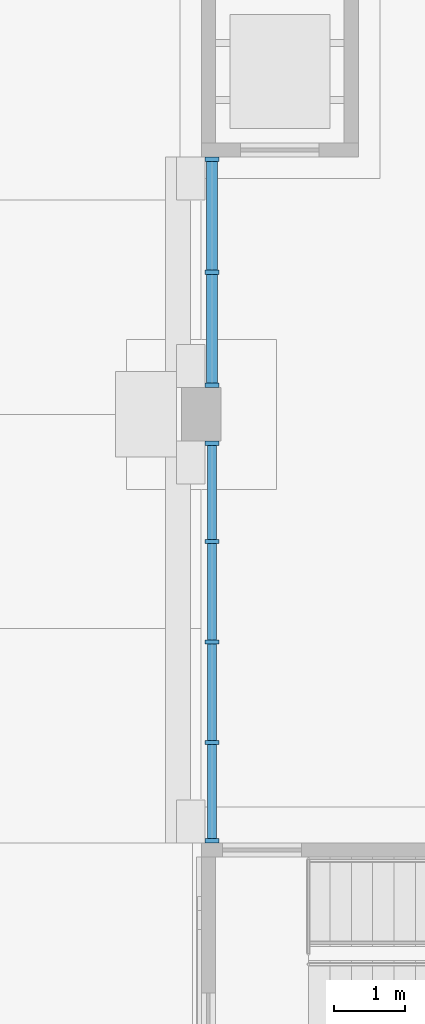
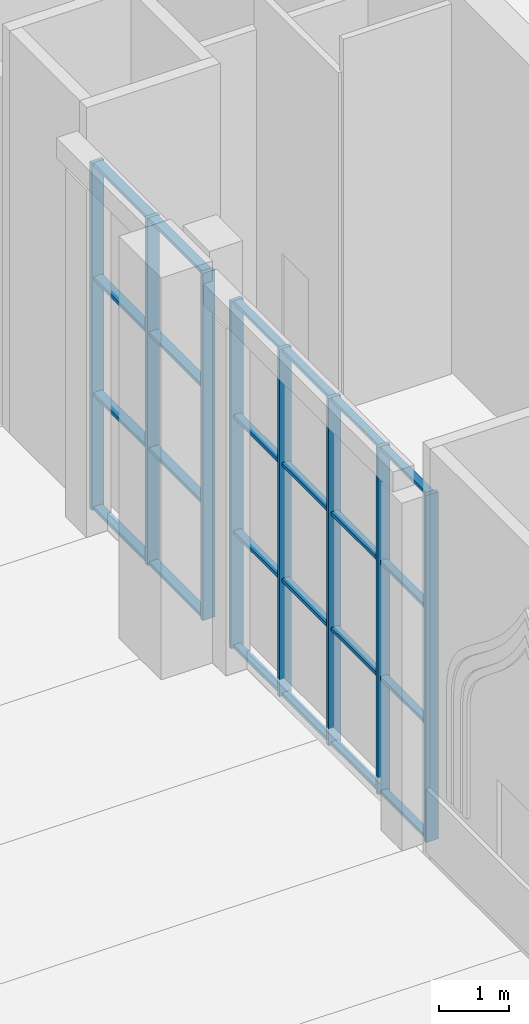
# One storey, part 24 of 95: 32 members, 2 elements without a shape of their own.
"""IFC4 building model written with IfcOpenShell, lengths in metres."""

import ifcopenshell
import ifcopenshell.guid

model = None  # the IFC model being written
_history = None  # IfcOwnerHistory: only IFC2X3 demands one
_inside = {}  # id of a spatial element -> (the spatial element, [elements in it])
_under = {}  # id of a project, library or spatial element -> (it, [spatial elements below it])
_declared = {}  # id of a project -> (the project, [libraries it declares])
_typed = {}  # id of a type object -> (the type object, [elements of that type])
_made_of = {}  # id of a material, layer set ... -> (it, [elements and type objects made of it])


def new_model(schema):
    """Start an empty IFC model of exactly this schema.

    Asked for "IFC4X3", IfcOpenShell would pick the latest addendum, in which some entities
    have other attributes; the version numbers below select the first issue.
    IFC2X3 requires an IfcOwnerHistory on every rooted entity: one is made here for all.
    """
    global model, _history
    if schema == "IFC4X3":
        model = ifcopenshell.file(schema_version=(4, 3, 0, 0))
    else:
        model = ifcopenshell.file(schema=schema)
    _inside.clear()
    _under.clear()
    _declared.clear()
    _typed.clear()
    _made_of.clear()
    _history = None
    if model.schema == "IFC2X3":
        org = make("IfcOrganization", Name="unknown")
        user = make(
            "IfcPersonAndOrganization",
            ThePerson=make("IfcPerson", FamilyName="unknown"),
            TheOrganization=org,
        )
        app = make(
            "IfcApplication",
            ApplicationDeveloper=org,
            Version="unknown",
            ApplicationFullName="unknown",
            ApplicationIdentifier="unknown",
        )
        _history = make(
            "IfcOwnerHistory",
            OwningUser=user,
            OwningApplication=app,
            ChangeAction="ADDED",
            CreationDate=0,
        )
    return model


def make(cls, **values):
    """One entity of the class cls with the attributes given. An attribute that is None is left unset."""
    return model.create_entity(
        cls, **{name: value for name, value in values.items() if value is not None}
    )


def rooted(cls, **values):
    """An entity with a GlobalId (a new one), such as an element, a storey or a relation."""
    return make(cls, GlobalId=ifcopenshell.guid.new(), OwnerHistory=_history, **values)


def si_unit(unit_type, name, prefix=None):
    """IfcSIUnit, for example si_unit("LENGTHUNIT", "METRE", prefix="MILLI")."""
    return make("IfcSIUnit", UnitType=unit_type, Prefix=prefix, Name=name)


def assignment(units):
    """IfcUnitAssignment: the units of a project."""
    return None if units is None else make("IfcUnitAssignment", Units=units)


def point(xyz):
    """IfcCartesianPoint."""
    return None if xyz is None else make("IfcCartesianPoint", Coordinates=xyz)


def direction(xyz):
    """IfcDirection."""
    return None if xyz is None else make("IfcDirection", DirectionRatios=xyz)


def frame(location, z_axis=None, x_axis=None):
    """IfcAxis2Placement3D, a coordinate frame: its origin and axes. An axis left out is left unset."""
    return make(
        "IfcAxis2Placement3D",
        Location=point(location),
        Axis=direction(z_axis),
        RefDirection=direction(x_axis),
    )


def frame_2d(location, x_axis=None):
    """IfcAxis2Placement2D, a coordinate frame in the plane: its origin and x axis."""
    return make(
        "IfcAxis2Placement2D", Location=point(location), RefDirection=direction(x_axis)
    )


def origin():
    """The frame at (0, 0, 0) with its axes left unset."""
    return frame((0.0, 0.0, 0.0))


def origin_2d():
    """The frame at (0, 0) in the plane with its x axis left unset."""
    return frame_2d((0.0, 0.0))


def place(relative_to, where):
    """IfcLocalPlacement: puts the frame where relative to a parent placement (None: the world)."""
    return make(
        "IfcLocalPlacement", PlacementRelTo=relative_to, RelativePlacement=where
    )


def context(
    kind, dimensions, precision=None, world=None, true_north=None, identifier=None
):
    """IfcGeometricRepresentationContext, for example the 3D "Model" context."""
    return make(
        "IfcGeometricRepresentationContext",
        ContextIdentifier=identifier,
        ContextType=kind,
        CoordinateSpaceDimension=dimensions,
        Precision=precision,
        WorldCoordinateSystem=world,
        TrueNorth=true_north,
    )


def subcontext(parent, identifier, kind, view, scale=None):
    """IfcGeometricRepresentationSubContext, for example "Body" below "Model"."""
    return make(
        "IfcGeometricRepresentationSubContext",
        ContextIdentifier=identifier,
        ContextType=kind,
        ParentContext=parent,
        TargetScale=scale,
        TargetView=view,
    )


def project(units=None, contexts=None):
    """IfcProject with its units and contexts."""
    return rooted(
        "IfcProject",
        Name="project",
        RepresentationContexts=contexts,
        UnitsInContext=assignment(units),
    )


def spatial(cls, under=None, at=None, **own):
    """A site, building, storey or space (cls), placed at a placement, below another one or the project."""
    s = rooted(cls, ObjectPlacement=at, **own)
    if under is not None:
        _under.setdefault(under.id(), (under, []))[1].append(s)
    return s


def profile(cls, at=None, kind="AREA", **sizes):
    """A parametric profile (cls). Its sizes go by their IFC names, for example OverallWidth=200.0."""
    return make(cls, ProfileType=kind, Position=at, **sizes)


def rectangle(**sizes):
    """IfcRectangleProfileDef."""
    return profile("IfcRectangleProfileDef", **sizes)


def extrude(swept, where, along, depth):
    """IfcExtrudedAreaSolid: the profile swept, set in the frame where, extruded along a direction by depth."""
    return make(
        "IfcExtrudedAreaSolid",
        SweptArea=swept,
        Position=where,
        ExtrudedDirection=direction(along),
        Depth=depth,
    )


def shape(context_of_items, identifier, shape_type, items):
    """IfcShapeRepresentation: the items that make up one representation, for example the "Body"."""
    return make(
        "IfcShapeRepresentation",
        ContextOfItems=context_of_items,
        RepresentationIdentifier=identifier,
        RepresentationType=shape_type,
        Items=items,
    )


def material(Name=None, Category=None):
    """IfcMaterial."""
    return make("IfcMaterial", Name=Name, Category=Category)


def material_profile(
    of_material, cross_section, Name=None, Category=None, Priority=None
):
    """IfcMaterialProfile: a cross section and its material."""
    return make(
        "IfcMaterialProfile",
        Name=Name,
        Material=of_material,
        Profile=cross_section,
        Priority=Priority,
        Category=Category,
    )


def profile_set(profiles, Name=None, composite=None):
    """IfcMaterialProfileSet."""
    return make(
        "IfcMaterialProfileSet",
        Name=Name,
        MaterialProfiles=profiles,
        CompositeProfile=composite,
    )


def made_of(thing, what):
    """Note that an element or type object is made of a material, layer set ...; save() writes the relation."""
    if what is not None:
        _made_of.setdefault(what.id(), (what, []))[1].append(thing)
    return thing


def type_object(cls, material=None, **own):
    """A type object (cls), such as IfcWallType, which elements share."""
    return made_of(rooted(cls, **own), material)


def element(
    cls,
    number,
    at=None,
    inside=None,
    cuts=None,
    type_object=None,
    material=None,
    context=None,
    identifier="Body",
    shape_type=None,
    held_by="IfcProductDefinitionShape",
    body=None,
    shapes=None,
    **own,
):
    """One element of the class cls, such as IfcWall. Its Tag is "e" and its number.

    at: its placement. inside: the storey or other place that contains it. cuts: it is an
    opening in that element (IfcRelVoidsElement). A single representation is given by context,
    identifier, shape_type and body (its items); several are given by shapes. held_by: the class
    of the entity that holds the representations. save() writes the other relations.
    """
    e = rooted(cls, Tag="e%d" % number, ObjectPlacement=at, **own)
    if body is not None:
        shapes = [shape(context, identifier, shape_type, body)]
    if shapes is not None:
        e.Representation = make(held_by, Representations=shapes)
    if inside is not None:
        _inside.setdefault(inside.id(), (inside, []))[1].append(e)
    if cuts is not None:
        rooted(
            "IfcRelVoidsElement", RelatingBuildingElement=cuts, RelatedOpeningElement=e
        )
    if type_object is not None:
        _typed.setdefault(type_object.id(), (type_object, []))[1].append(e)
    return made_of(e, material)


def aggregate(whole, parts):
    """IfcRelAggregates: a whole, such as a stair, and the parts it consists of."""
    return rooted("IfcRelAggregates", RelatingObject=whole, RelatedObjects=parts)


def save(model, path):
    """Write the relations noted so far, then the file.

    IfcRelAggregates (storeys below a building ...), IfcRelContainedInSpatialStructure (elements
    in a storey), IfcRelDefinesByType, IfcRelAssociatesMaterial and IfcRelDeclares: one each for
    every whole, place, type object, material and project.
    """
    for whole, parts in _under.values():
        aggregate(whole, parts)
    for where, things in _inside.values():
        rooted(
            "IfcRelContainedInSpatialStructure",
            RelatedElements=things,
            RelatingStructure=where,
        )
    for kind, things in _typed.values():
        rooted("IfcRelDefinesByType", RelatedObjects=things, RelatingType=kind)
    for what, things in _made_of.values():
        rooted("IfcRelAssociatesMaterial", RelatedObjects=things, RelatingMaterial=what)
    for by, libraries in _declared.values():
        rooted("IfcRelDeclares", RelatingContext=by, RelatedDefinitions=libraries)
    model.write(path)


model = new_model("IFC4")

# Units and contexts
model_context = context("Model", 3, precision=1e-05, world=origin(), true_north=direction((0.0, 1.0)))
body_context = subcontext(model_context, "Body", "Model", "MODEL_VIEW")
ifc_project = project(units=[si_unit("LENGTHUNIT", "METRE"), si_unit("AREAUNIT", "SQUARE_METRE"), si_unit("VOLUMEUNIT", "CUBIC_METRE"), si_unit("PLANEANGLEUNIT", "RADIAN"), si_unit("MASSUNIT", "GRAM", prefix="KILO")], contexts=[model_context])

# Site, building, storey
site_placement = place(None, origin())
site = spatial("IfcSite", under=ifc_project, at=site_placement, CompositionType="ELEMENT")
building_placement = place(site_placement, origin())
building = spatial("IfcBuilding", under=site, at=building_placement, Name="Saffron Lane Theatres", CompositionType="ELEMENT")
storey_placement = place(building_placement, origin())
storey = spatial("IfcBuildingStorey", under=building, at=storey_placement, Name="L00", CompositionType="ELEMENT", Elevation=0.0)

# Curtain wall, members
ifc_material_1 = material(Name="Aluminium", Category="aluminium")
curtain_wall_type_1 = type_object("IfcCurtainWallType", Name="EX-CURTAIN WALL 5620x6050x200", PredefinedType="NOTDEFINED", material=ifc_material_1)
curtain_wall_1_placement = place(storey_placement, origin())
curtain_wall_1 = element("IfcCurtainWall", 1, at=curtain_wall_1_placement, inside=storey, type_object=curtain_wall_type_1, Name="Curtain wall L00 03", PredefinedType="NOTDEFINED")
ifc_material_2 = material(Name="Aluminium", Category="aluminium")
ifc_material_profile_1 = material_profile(ifc_material_2, rectangle(XDim=0.06005859375, YDim=0.199951171875, at=origin_2d()))
ifc_profile_set_1 = profile_set([ifc_material_profile_1], Name="Aluminium")
member_type_1 = type_object("IfcMemberType", Name="EX-CW MULLION 60x200", PredefinedType="MULLION", material=ifc_profile_set_1)
member_1_placement = place(storey_placement, frame((12.14990234375, 72.030029296875, 0.0), z_axis=(0.0, 0.0, 1.0), x_axis=(0.0, 1.0, 0.0)))
member_1 = element("IfcMember", 2, at=member_1_placement, type_object=member_type_1, Name="CW-00-03 mullion 1", PredefinedType="MULLION", context=body_context, shape_type="SweptSolid", body=[
    extrude(rectangle(XDim=0.06005859375, YDim=0.199951171875, at=origin_2d()), origin(), (0.0, 0.0, 1.0), 6.050048828125),
])
member_2_placement = place(storey_placement, frame((12.14990234375, 73.40625, 0.0), z_axis=(0.0, 0.0, 1.0), x_axis=(0.0, 1.0, 0.0)))
member_2 = element("IfcMember", 3, at=member_2_placement, type_object=member_type_1, Name="CW-00-03 mullion 2", PredefinedType="MULLION", context=body_context, shape_type="SweptSolid", body=[
    extrude(rectangle(XDim=0.06005859375, YDim=0.199951171875, at=origin_2d()), origin(), (0.0, 0.0, 1.0), 6.050048828125),
])
member_3_placement = place(storey_placement, frame((12.14990234375, 74.8125, 0.0), z_axis=(0.0, 0.0, 1.0), x_axis=(0.0, 1.0, 0.0)))
member_3 = element("IfcMember", 4, at=member_3_placement, type_object=member_type_1, Name="CW-00-03 mullion 3", PredefinedType="MULLION", context=body_context, shape_type="SweptSolid", body=[
    extrude(rectangle(XDim=0.06005859375, YDim=0.199951171875, at=origin_2d()), origin(), (0.0, 0.0, 1.0), 6.050048828125),
])
member_4_placement = place(storey_placement, frame((12.14990234375, 76.21875, 0.0), z_axis=(0.0, 0.0, 1.0), x_axis=(0.0, 1.0, 0.0)))
member_4 = element("IfcMember", 5, at=member_4_placement, type_object=member_type_1, Name="CW-00-03 mullion 4", PredefinedType="MULLION", context=body_context, shape_type="SweptSolid", body=[
    extrude(rectangle(XDim=0.06005859375, YDim=0.199951171875, at=origin_2d()), origin(), (0.0, 0.0, 1.0), 6.050048828125),
])
member_5_placement = place(storey_placement, frame((12.14990234375, 77.594970703125, 0.0), z_axis=(0.0, 0.0, 1.0), x_axis=(0.0, 1.0, 0.0)))
member_5 = element("IfcMember", 6, at=member_5_placement, type_object=member_type_1, Name="CW-00-03 mullion 5", PredefinedType="MULLION", context=body_context, shape_type="SweptSolid", body=[
    extrude(rectangle(XDim=0.06005859375, YDim=0.199951171875, at=origin_2d()), origin(), (0.0, 0.0, 1.0), 6.050048828125),
])

ifc_material_3 = material(Name="Aluminium", Category="aluminium")
curtain_wall_type_2 = type_object("IfcCurtainWallType", Name="EX-CURTAIN WALL 3230x6050x200", PredefinedType="NOTDEFINED", material=ifc_material_3)
curtain_wall_2_placement = place(storey_placement, origin())
curtain_wall_2 = element("IfcCurtainWall", 7, at=curtain_wall_2_placement, inside=storey, type_object=curtain_wall_type_2, Name="Curtain wall L00 04", PredefinedType="NOTDEFINED")
member_6_placement = place(storey_placement, frame((12.14990234375, 78.405029296875, 0.0), z_axis=(0.0, 0.0, 1.0), x_axis=(0.0, 1.0, 0.0)))
member_6 = element("IfcMember", 8, at=member_6_placement, type_object=member_type_1, Name="CW-00-04 mullion 1", PredefinedType="MULLION", context=body_context, shape_type="SweptSolid", body=[
    extrude(rectangle(XDim=0.06005859375, YDim=0.199951171875, at=origin_2d()), origin(), (0.0, 0.0, 1.0), 6.050048828125),
])
member_7_placement = place(storey_placement, frame((12.14990234375, 79.987548828125, 0.0), z_axis=(0.0, 0.0, 1.0), x_axis=(0.0, 1.0, 0.0)))
member_7 = element("IfcMember", 9, at=member_7_placement, type_object=member_type_1, Name="CW-00-04 mullion 2", PredefinedType="MULLION", context=body_context, shape_type="SweptSolid", body=[
    extrude(rectangle(XDim=0.06005859375, YDim=0.199951171875, at=origin_2d()), origin(), (0.0, 0.0, 1.0), 6.050048828125),
])
member_8_placement = place(storey_placement, frame((12.14990234375, 81.570068359375, 0.0), z_axis=(0.0, 0.0, 1.0), x_axis=(0.0, 1.0, 0.0)))
member_8 = element("IfcMember", 10, at=member_8_placement, type_object=member_type_1, Name="CW-00-04 mullion 3", PredefinedType="MULLION", context=body_context, shape_type="SweptSolid", body=[
    extrude(rectangle(XDim=0.06005859375, YDim=0.199951171875, at=origin_2d()), origin(), (0.0, 0.0, 1.0), 6.050048828125),
])

# Member
ifc_material_4 = material(Name="Aluminium", Category="aluminium")
ifc_material_profile_2 = material_profile(ifc_material_4, rectangle(XDim=0.1201171875, YDim=0.06005859375, at=origin_2d()))
ifc_profile_set_2 = profile_set([ifc_material_profile_2], Name="Aluminium")
member_type_2 = type_object("IfcMemberType", Name="EX-CW TRANSOM 120x60", PredefinedType="USERDEFINED", material=ifc_profile_set_2)
member_9_placement = place(storey_placement, frame((12.14990234375, 72.06005859375, 0.030029296875), z_axis=(0.0, 1.0, 0.0), x_axis=(-1.0, 0.0, 0.0)))
member_9 = element("IfcMember", 11, at=member_9_placement, type_object=member_type_2, Name="CW-00-03 transom 1.1", ObjectType="TRANSOM", PredefinedType="USERDEFINED", context=body_context, shape_type="SweptSolid", body=[
    extrude(rectangle(XDim=0.1201171875, YDim=0.06005859375, at=origin_2d()), origin(), (0.0, 0.0, 1.0), 1.316162109375),
])

member_10_placement = place(storey_placement, frame((12.14990234375, 72.06005859375, 2.0166015625), z_axis=(0.0, 1.0, 0.0), x_axis=(-1.0, 0.0, 0.0)))
member_10 = element("IfcMember", 12, at=member_10_placement, type_object=member_type_2, Name="CW-00-03 transom 1.2", ObjectType="TRANSOM", PredefinedType="USERDEFINED", context=body_context, shape_type="SweptSolid", body=[
    extrude(rectangle(XDim=0.1201171875, YDim=0.06005859375, at=origin_2d()), origin(), (0.0, 0.0, 1.0), 1.316162109375),
])

member_11_placement = place(storey_placement, frame((12.14990234375, 72.06005859375, 4.033447265625), z_axis=(0.0, 1.0, 0.0), x_axis=(-1.0, 0.0, 0.0)))
member_11 = element("IfcMember", 13, at=member_11_placement, type_object=member_type_2, Name="CW-00-03 transom 1.3", ObjectType="TRANSOM", PredefinedType="USERDEFINED", context=body_context, shape_type="SweptSolid", body=[
    extrude(rectangle(XDim=0.1201171875, YDim=0.06005859375, at=origin_2d()), origin(), (0.0, 0.0, 1.0), 1.316162109375),
])

member_12_placement = place(storey_placement, frame((12.14990234375, 72.06005859375, 6.02001953125), z_axis=(0.0, 1.0, 0.0), x_axis=(-1.0, 0.0, 0.0)))
member_12 = element("IfcMember", 14, at=member_12_placement, type_object=member_type_2, Name="CW-00-03 transom 1.4", ObjectType="TRANSOM", PredefinedType="USERDEFINED", context=body_context, shape_type="SweptSolid", body=[
    extrude(rectangle(XDim=0.1201171875, YDim=0.06005859375, at=origin_2d()), origin(), (0.0, 0.0, 1.0), 1.316162109375),
])

member_13_placement = place(storey_placement, frame((12.14990234375, 73.436279296875, 0.030029296875), z_axis=(0.0, 1.0, 0.0), x_axis=(-1.0, 0.0, 0.0)))
member_13 = element("IfcMember", 15, at=member_13_placement, type_object=member_type_2, Name="CW-00-03 transom 2.1", ObjectType="TRANSOM", PredefinedType="USERDEFINED", context=body_context, shape_type="SweptSolid", body=[
    extrude(rectangle(XDim=0.1201171875, YDim=0.06005859375, at=origin_2d()), origin(), (0.0, 0.0, 1.0), 1.34619140625),
])

member_14_placement = place(storey_placement, frame((12.14990234375, 73.436279296875, 2.0166015625), z_axis=(0.0, 1.0, 0.0), x_axis=(-1.0, 0.0, 0.0)))
member_14 = element("IfcMember", 16, at=member_14_placement, type_object=member_type_2, Name="CW-00-03 transom 2.2", ObjectType="TRANSOM", PredefinedType="USERDEFINED", context=body_context, shape_type="SweptSolid", body=[
    extrude(rectangle(XDim=0.1201171875, YDim=0.06005859375, at=origin_2d()), origin(), (0.0, 0.0, 1.0), 1.34619140625),
])

member_15_placement = place(storey_placement, frame((12.14990234375, 73.436279296875, 4.033447265625), z_axis=(0.0, 1.0, 0.0), x_axis=(-1.0, 0.0, 0.0)))
member_15 = element("IfcMember", 17, at=member_15_placement, type_object=member_type_2, Name="CW-00-03 transom 2.3", ObjectType="TRANSOM", PredefinedType="USERDEFINED", context=body_context, shape_type="SweptSolid", body=[
    extrude(rectangle(XDim=0.1201171875, YDim=0.06005859375, at=origin_2d()), origin(), (0.0, 0.0, 1.0), 1.34619140625),
])

member_16_placement = place(storey_placement, frame((12.14990234375, 73.436279296875, 6.02001953125), z_axis=(0.0, 1.0, 0.0), x_axis=(-1.0, 0.0, 0.0)))
member_16 = element("IfcMember", 18, at=member_16_placement, type_object=member_type_2, Name="CW-00-03 transom 2.4", ObjectType="TRANSOM", PredefinedType="USERDEFINED", context=body_context, shape_type="SweptSolid", body=[
    extrude(rectangle(XDim=0.1201171875, YDim=0.06005859375, at=origin_2d()), origin(), (0.0, 0.0, 1.0), 1.34619140625),
])

member_17_placement = place(storey_placement, frame((12.14990234375, 74.842529296875, 0.030029296875), z_axis=(0.0, 1.0, 0.0), x_axis=(-1.0, 0.0, 0.0)))
member_17 = element("IfcMember", 19, at=member_17_placement, type_object=member_type_2, Name="CW-00-03 transom 3.1", ObjectType="TRANSOM", PredefinedType="USERDEFINED", context=body_context, shape_type="SweptSolid", body=[
    extrude(rectangle(XDim=0.1201171875, YDim=0.06005859375, at=origin_2d()), origin(), (0.0, 0.0, 1.0), 1.34619140625),
])

member_18_placement = place(storey_placement, frame((12.14990234375, 74.842529296875, 2.0166015625), z_axis=(0.0, 1.0, 0.0), x_axis=(-1.0, 0.0, 0.0)))
member_18 = element("IfcMember", 20, at=member_18_placement, type_object=member_type_2, Name="CW-00-03 transom 3.2", ObjectType="TRANSOM", PredefinedType="USERDEFINED", context=body_context, shape_type="SweptSolid", body=[
    extrude(rectangle(XDim=0.1201171875, YDim=0.06005859375, at=origin_2d()), origin(), (0.0, 0.0, 1.0), 1.34619140625),
])

member_19_placement = place(storey_placement, frame((12.14990234375, 74.842529296875, 4.033447265625), z_axis=(0.0, 1.0, 0.0), x_axis=(-1.0, 0.0, 0.0)))
member_19 = element("IfcMember", 21, at=member_19_placement, type_object=member_type_2, Name="CW-00-03 transom 3.3", ObjectType="TRANSOM", PredefinedType="USERDEFINED", context=body_context, shape_type="SweptSolid", body=[
    extrude(rectangle(XDim=0.1201171875, YDim=0.06005859375, at=origin_2d()), origin(), (0.0, 0.0, 1.0), 1.34619140625),
])

member_20_placement = place(storey_placement, frame((12.14990234375, 74.842529296875, 6.02001953125), z_axis=(0.0, 1.0, 0.0), x_axis=(-1.0, 0.0, 0.0)))
member_20 = element("IfcMember", 22, at=member_20_placement, type_object=member_type_2, Name="CW-00-03 transom 3.4", ObjectType="TRANSOM", PredefinedType="USERDEFINED", context=body_context, shape_type="SweptSolid", body=[
    extrude(rectangle(XDim=0.1201171875, YDim=0.06005859375, at=origin_2d()), origin(), (0.0, 0.0, 1.0), 1.34619140625),
])

member_21_placement = place(storey_placement, frame((12.14990234375, 76.248779296875, 0.030029296875), z_axis=(0.0, 1.0, 0.0), x_axis=(-1.0, 0.0, 0.0)))
member_21 = element("IfcMember", 23, at=member_21_placement, type_object=member_type_2, Name="CW-00-03 transom 4.1", ObjectType="TRANSOM", PredefinedType="USERDEFINED", context=body_context, shape_type="SweptSolid", body=[
    extrude(rectangle(XDim=0.1201171875, YDim=0.06005859375, at=origin_2d()), origin(), (0.0, 0.0, 1.0), 1.316162109375),
])

member_22_placement = place(storey_placement, frame((12.14990234375, 76.248779296875, 2.0166015625), z_axis=(0.0, 1.0, 0.0), x_axis=(-1.0, 0.0, 0.0)))
member_22 = element("IfcMember", 24, at=member_22_placement, type_object=member_type_2, Name="CW-00-03 transom 4.2", ObjectType="TRANSOM", PredefinedType="USERDEFINED", context=body_context, shape_type="SweptSolid", body=[
    extrude(rectangle(XDim=0.1201171875, YDim=0.06005859375, at=origin_2d()), origin(), (0.0, 0.0, 1.0), 1.316162109375),
])

member_23_placement = place(storey_placement, frame((12.14990234375, 76.248779296875, 4.033447265625), z_axis=(0.0, 1.0, 0.0), x_axis=(-1.0, 0.0, 0.0)))
member_23 = element("IfcMember", 25, at=member_23_placement, type_object=member_type_2, Name="CW-00-03 transom 4.3", ObjectType="TRANSOM", PredefinedType="USERDEFINED", context=body_context, shape_type="SweptSolid", body=[
    extrude(rectangle(XDim=0.1201171875, YDim=0.06005859375, at=origin_2d()), origin(), (0.0, 0.0, 1.0), 1.316162109375),
])

member_24_placement = place(storey_placement, frame((12.14990234375, 76.248779296875, 6.02001953125), z_axis=(0.0, 1.0, 0.0), x_axis=(-1.0, 0.0, 0.0)))
member_24 = element("IfcMember", 26, at=member_24_placement, type_object=member_type_2, Name="CW-00-03 transom 4.4", ObjectType="TRANSOM", PredefinedType="USERDEFINED", context=body_context, shape_type="SweptSolid", body=[
    extrude(rectangle(XDim=0.1201171875, YDim=0.06005859375, at=origin_2d()), origin(), (0.0, 0.0, 1.0), 1.316162109375),
])

aggregate(curtain_wall_1, [member_1, member_2, member_3, member_4, member_5, member_9, member_10, member_11, member_12, member_13, member_14, member_15, member_16, member_17, member_18, member_19, member_20, member_21, member_22, member_23, member_24])

ifc_material_5 = material(Name="Aluminium", Category="aluminium")
ifc_material_profile_3 = material_profile(ifc_material_5, rectangle(XDim=0.14990234375, YDim=0.06005859375, at=origin_2d()))
ifc_profile_set_3 = profile_set([ifc_material_profile_3], Name="Aluminium")
member_type_3 = type_object("IfcMemberType", Name="EX-CW TRANSOM 150x60", PredefinedType="USERDEFINED", material=ifc_profile_set_3)
member_25_placement = place(storey_placement, frame((12.14990234375, 78.43505859375, 0.030029296875), z_axis=(0.0, 1.0, 0.0), x_axis=(-1.0, 0.0, 0.0)))
member_25 = element("IfcMember", 27, at=member_25_placement, type_object=member_type_3, Name="CW-00-04 transom 1.1", ObjectType="TRANSOM", PredefinedType="USERDEFINED", context=body_context, shape_type="SweptSolid", body=[
    extrude(rectangle(XDim=0.14990234375, YDim=0.06005859375, at=origin_2d()), origin(), (0.0, 0.0, 1.0), 1.5224609375),
])

member_26_placement = place(storey_placement, frame((12.14990234375, 78.43505859375, 2.0166015625), z_axis=(0.0, 1.0, 0.0), x_axis=(-1.0, 0.0, 0.0)))
member_26 = element("IfcMember", 28, at=member_26_placement, type_object=member_type_3, Name="CW-00-04 transom 1.2", ObjectType="TRANSOM", PredefinedType="USERDEFINED", context=body_context, shape_type="SweptSolid", body=[
    extrude(rectangle(XDim=0.14990234375, YDim=0.06005859375, at=origin_2d()), origin(), (0.0, 0.0, 1.0), 1.5224609375),
])

member_27_placement = place(storey_placement, frame((12.14990234375, 78.43505859375, 4.033447265625), z_axis=(0.0, 1.0, 0.0), x_axis=(-1.0, 0.0, 0.0)))
member_27 = element("IfcMember", 29, at=member_27_placement, type_object=member_type_3, Name="CW-00-04 transom 1.3", ObjectType="TRANSOM", PredefinedType="USERDEFINED", context=body_context, shape_type="SweptSolid", body=[
    extrude(rectangle(XDim=0.14990234375, YDim=0.06005859375, at=origin_2d()), origin(), (0.0, 0.0, 1.0), 1.5224609375),
])

member_28_placement = place(storey_placement, frame((12.14990234375, 78.43505859375, 6.02001953125), z_axis=(0.0, 1.0, 0.0), x_axis=(-1.0, 0.0, 0.0)))
member_28 = element("IfcMember", 30, at=member_28_placement, type_object=member_type_3, Name="CW-00-04 transom 1.4", ObjectType="TRANSOM", PredefinedType="USERDEFINED", context=body_context, shape_type="SweptSolid", body=[
    extrude(rectangle(XDim=0.14990234375, YDim=0.06005859375, at=origin_2d()), origin(), (0.0, 0.0, 1.0), 1.5224609375),
])

member_29_placement = place(storey_placement, frame((12.14990234375, 80.017578125, 0.030029296875), z_axis=(0.0, 1.0, 0.0), x_axis=(-1.0, 0.0, 0.0)))
member_29 = element("IfcMember", 31, at=member_29_placement, type_object=member_type_3, Name="CW-00-04 transom 2.1", ObjectType="TRANSOM", PredefinedType="USERDEFINED", context=body_context, shape_type="SweptSolid", body=[
    extrude(rectangle(XDim=0.14990234375, YDim=0.06005859375, at=origin_2d()), origin(), (0.0, 0.0, 1.0), 1.5224609375),
])

member_30_placement = place(storey_placement, frame((12.14990234375, 80.017578125, 2.0166015625), z_axis=(0.0, 1.0, 0.0), x_axis=(-1.0, 0.0, 0.0)))
member_30 = element("IfcMember", 32, at=member_30_placement, type_object=member_type_3, Name="CW-00-04 transom 2.2", ObjectType="TRANSOM", PredefinedType="USERDEFINED", context=body_context, shape_type="SweptSolid", body=[
    extrude(rectangle(XDim=0.14990234375, YDim=0.06005859375, at=origin_2d()), origin(), (0.0, 0.0, 1.0), 1.5224609375),
])

member_31_placement = place(storey_placement, frame((12.14990234375, 80.017578125, 4.033447265625), z_axis=(0.0, 1.0, 0.0), x_axis=(-1.0, 0.0, 0.0)))
member_31 = element("IfcMember", 33, at=member_31_placement, type_object=member_type_3, Name="CW-00-04 transom 2.3", ObjectType="TRANSOM", PredefinedType="USERDEFINED", context=body_context, shape_type="SweptSolid", body=[
    extrude(rectangle(XDim=0.14990234375, YDim=0.06005859375, at=origin_2d()), origin(), (0.0, 0.0, 1.0), 1.5224609375),
])

member_32_placement = place(storey_placement, frame((12.14990234375, 80.017578125, 6.02001953125), z_axis=(0.0, 1.0, 0.0), x_axis=(-1.0, 0.0, 0.0)))
member_32 = element("IfcMember", 34, at=member_32_placement, type_object=member_type_3, Name="CW-00-04 transom 2.4", ObjectType="TRANSOM", PredefinedType="USERDEFINED", context=body_context, shape_type="SweptSolid", body=[
    extrude(rectangle(XDim=0.14990234375, YDim=0.06005859375, at=origin_2d()), origin(), (0.0, 0.0, 1.0), 1.5224609375),
])

aggregate(curtain_wall_2, [member_6, member_7, member_8, member_25, member_26, member_27, member_28, member_29, member_30, member_31, member_32])

save(model, "model.ifc")
